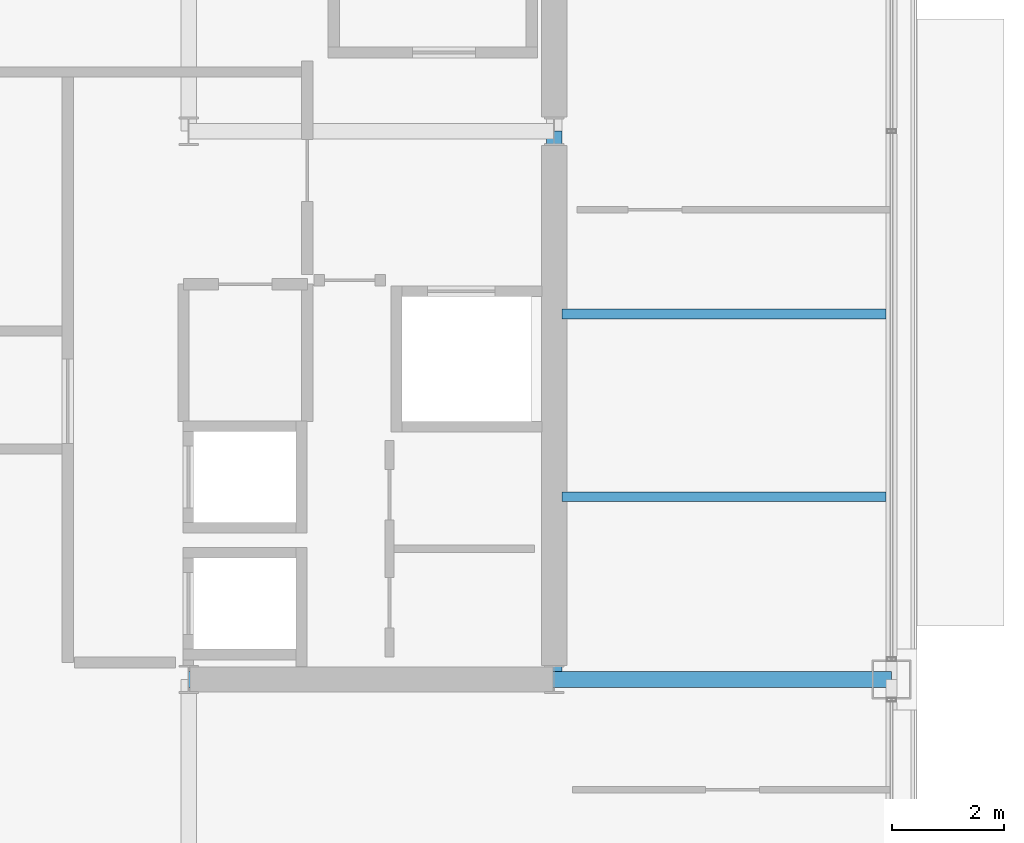
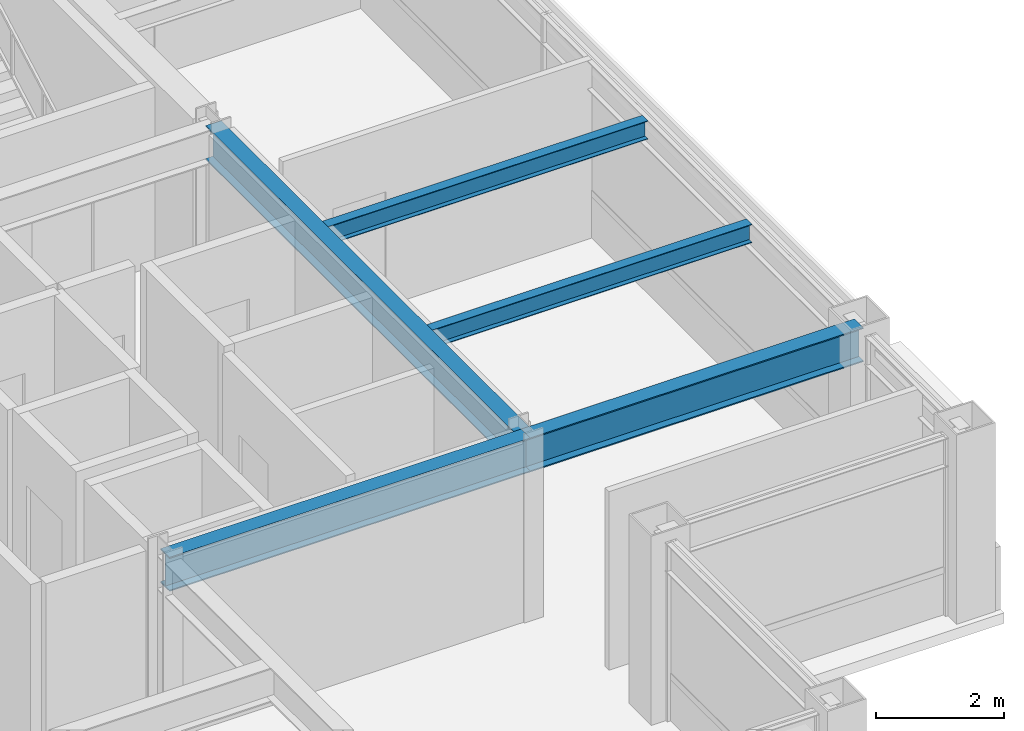
# One storey, part 13 of 26: 5 beams.
"""IFC4 building model written with IfcOpenShell, lengths in metres."""

from ifc_helpers import new_model, si_unit, direction, frame, origin, origin_2d, place, context, subcontext, project, spatial, i_section, extrude, material, material_profile, profile_set, type_object, element, save


model = new_model("IFC4")

# Units and contexts
model_context = context("Model", 3, precision=1e-05, world=origin(), true_north=direction((0.0, 1.0)))
body_context = subcontext(model_context, "Body", "Model", "MODEL_VIEW")
ifc_project = project(units=[si_unit("LENGTHUNIT", "METRE"), si_unit("AREAUNIT", "SQUARE_METRE"), si_unit("VOLUMEUNIT", "CUBIC_METRE"), si_unit("PLANEANGLEUNIT", "RADIAN"), si_unit("MASSUNIT", "GRAM", prefix="KILO")], contexts=[model_context])

# Site, building, storey
site_placement = place(None, origin())
site = spatial("IfcSite", under=ifc_project, at=site_placement, CompositionType="ELEMENT")
building_placement = place(site_placement, origin())
building = spatial("IfcBuilding", under=site, at=building_placement, Name="Brelmoor Portico Tower", CompositionType="ELEMENT")
storey_placement = place(building_placement, frame((0.0, 0.0, 205.5)))
storey = spatial("IfcBuildingStorey", under=building, at=storey_placement, Name="L54", CompositionType="ELEMENT", Elevation=205.5)

# Beams
ifc_material = material(Name="Steel Q355B", Category="steel")
ifc_material_profile_1 = material_profile(ifc_material, i_section(OverallWidth=0.175048828125, OverallDepth=0.35009765625, WebThickness=0.007080078125, FlangeThickness=0.010986328125, at=origin_2d()), Name="HN 350x175x7x11")
ifc_profile_set_1 = profile_set([ifc_material_profile_1], Name="Steel Q355B")
beam_type_1 = type_object("IfcBeamType", Name="BM-JS-350", PredefinedType="JOIST", material=ifc_profile_set_1)
for number, where, z_axis, x_axis, name in (
    (1, (14.68994140625, -6.5, 3.22509765625), (1.0, 0.0, 0.0), (0.0, 1.0, 0.0), "L54 Secondary Wing Joist JS-E07"),
    (2, (14.68994140625, -3.25, 3.22509765625), (1.0, 0.0, 0.0), (0.0, 1.0, 0.0), "L54 Secondary Wing Joist JS-E08"),
):
    element("IfcBeam", number, at=place(storey_placement, frame(where, z_axis=z_axis, x_axis=x_axis)), inside=storey, type_object=beam_type_1, Name=name, PredefinedType="JOIST", context=body_context, shape_type="SweptSolid", body=[
        extrude(i_section(OverallWidth=0.175048828125, OverallDepth=0.35009765625, WebThickness=0.007080078125, FlangeThickness=0.010986328125, at=origin_2d()), origin(), (0.0, 0.0, 1.0), 5.760009765625),
    ])
ifc_material_profile_2 = material_profile(ifc_material, i_section(OverallWidth=0.280029296875, OverallDepth=0.64990234375, WebThickness=0.012939453125, FlangeThickness=0.02197265625, at=origin_2d()), Name="HN 650x280x13x22")
ifc_profile_set_2 = profile_set([ifc_material_profile_2], Name="Steel Q355B")
beam_type_2 = type_object("IfcBeamType", Name="BM-PG-650", PredefinedType="BEAM", material=ifc_profile_set_2)
beam_1_placement = place(storey_placement, frame((14.550048828125, -9.75, 3.074951171875), z_axis=(0.0, 1.0, 0.0), x_axis=(-1.0, 0.0, 0.0)))
element("IfcBeam", 3, at=beam_1_placement, inside=storey, type_object=beam_type_2, Name="L54 Primary Floor Girder PG-09", PredefinedType="BEAM", context=body_context, shape_type="SweptSolid", body=[
    extrude(i_section(OverallWidth=0.280029296875, OverallDepth=0.64990234375, WebThickness=0.012939453125, FlangeThickness=0.02197265625, at=origin_2d()), origin(), (0.0, 0.0, 1.0), 9.75),
])
beam_2_placement = place(storey_placement, frame((8.050048828125, -9.75, 3.074951171875), z_axis=(1.0, 0.0, 0.0), x_axis=(0.0, 1.0, 0.0)))
element("IfcBeam", 4, at=beam_2_placement, inside=storey, type_object=beam_type_2, Name="L54 Primary Floor Girder PG-13", PredefinedType="BEAM", context=body_context, shape_type="SweptSolid", body=[
    extrude(i_section(OverallWidth=0.280029296875, OverallDepth=0.64990234375, WebThickness=0.012939453125, FlangeThickness=0.02197265625, at=origin_2d()), origin(), (0.0, 0.0, 1.0), 6.5),
])
beam_3_placement = place(storey_placement, frame((14.550048828125, -9.75, 3.074951171875), z_axis=(1.0, 0.0, 0.0), x_axis=(0.0, 1.0, 0.0)))
element("IfcBeam", 5, at=beam_3_placement, inside=storey, type_object=beam_type_2, Name="L54 Primary Floor Girder PG-14", PredefinedType="BEAM", context=body_context, shape_type="SweptSolid", body=[
    extrude(i_section(OverallWidth=0.280029296875, OverallDepth=0.64990234375, WebThickness=0.012939453125, FlangeThickness=0.02197265625, at=origin_2d()), origin(), (0.0, 0.0, 1.0), 6.0),
])

save(model, "model.ifc")
